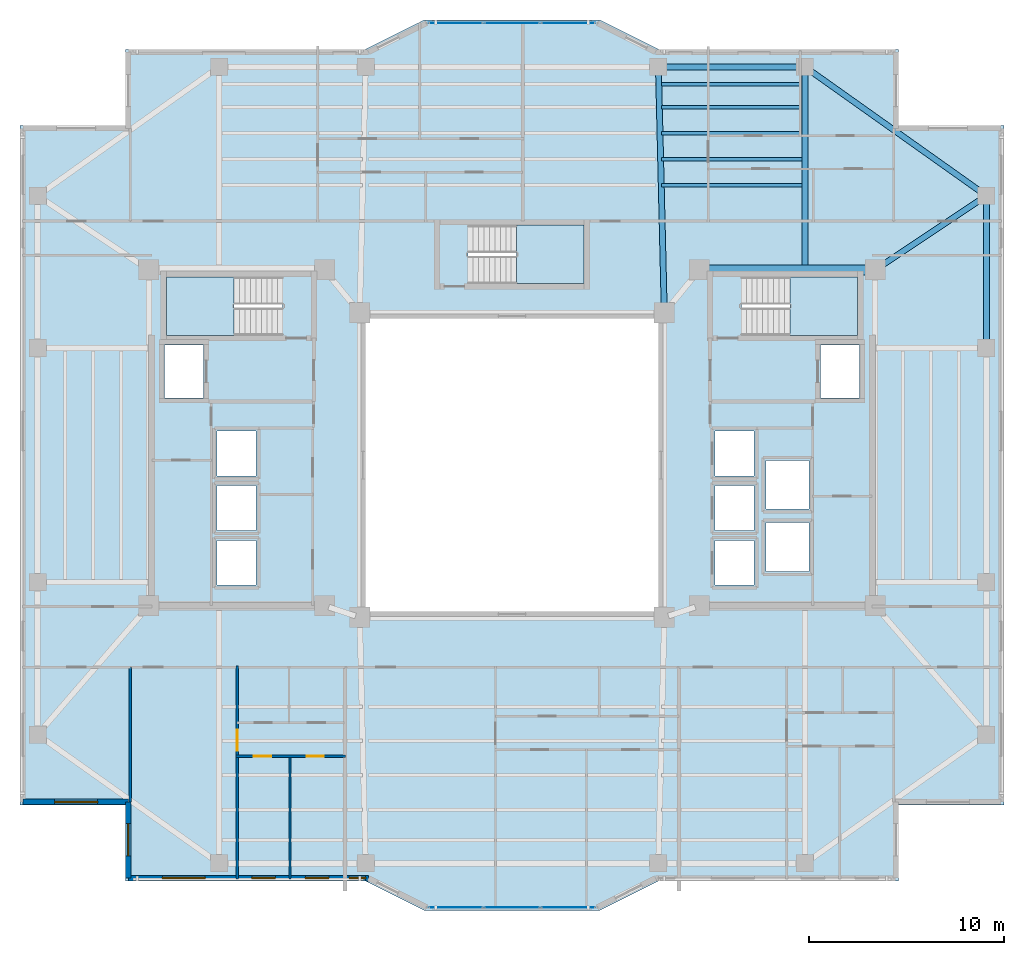
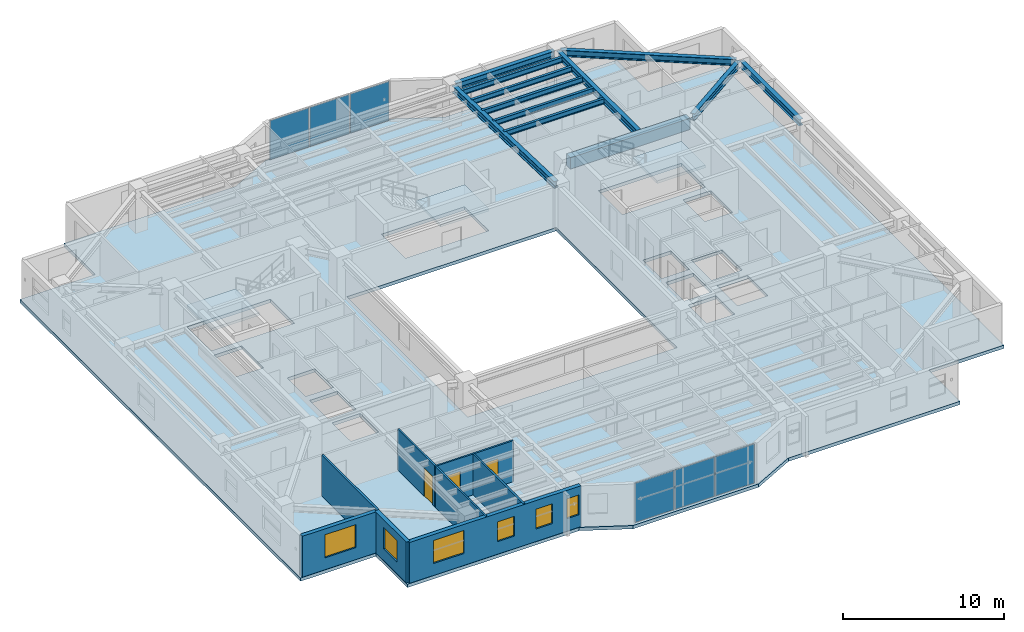
# One storey, part 5 of 15: 12 beams, 7 walls, 6 plates, 6 windows, 4 slabs, 3 doors, 9 openings, 5 elements without a shape of their own.
"""IFC4 building model written with IfcOpenShell, lengths in metres."""

from ifc_helpers import new_model, si_unit, direction, frame, frame_2d, origin, origin_2d, place, context, subcontext, project, spatial, polyline, rectangle, i_section, outline, extrude, material, layer, layer_set, material_profile, profile_set, type_object, element, fill, aggregate, save


model = new_model("IFC4")

# Units and contexts
model_context = context("Model", 3, precision=1e-05, world=origin(), true_north=direction((0.0, 1.0)))
body_context = subcontext(model_context, "Body", "Model", "MODEL_VIEW")
ifc_project = project(units=[si_unit("LENGTHUNIT", "METRE"), si_unit("AREAUNIT", "SQUARE_METRE"), si_unit("VOLUMEUNIT", "CUBIC_METRE"), si_unit("PLANEANGLEUNIT", "RADIAN"), si_unit("MASSUNIT", "GRAM", prefix="KILO")], contexts=[model_context])

# Site, building, storey
site_placement = place(None, origin())
site = spatial("IfcSite", under=ifc_project, at=site_placement, CompositionType="ELEMENT")
building_placement = place(site_placement, origin())
building = spatial("IfcBuilding", under=site, at=building_placement, Name="Tarnavaz Court Tower", CompositionType="ELEMENT")
storey_placement = place(building_placement, frame((0.0, 0.0, 159.39990234375)))
storey = spatial("IfcBuildingStorey", under=building, at=storey_placement, Name="L43", CompositionType="ELEMENT", Elevation=159.39990234375)

# Beams
ifc_material_1 = material(Name="Concrete C50/60", Category="concrete")
ifc_material_profile_1 = material_profile(ifc_material_1, rectangle(XDim=0.5, YDim=0.85009765625, at=origin_2d()), Name="RC 500X850")
ifc_profile_set_1 = profile_set([ifc_material_profile_1], Name="Concrete C50/60")
beam_type_1 = type_object("IfcBeamType", Name="BM-CB850", PredefinedType="LINTEL", material=ifc_profile_set_1)
beam_1_placement = place(storey_placement, frame((18.3798828125, 10.0, 2.675048828125), z_axis=(-1.0, 0.0, 0.0), x_axis=(0.0, -1.0, 0.0)))
element("IfcBeam", 1, at=beam_1_placement, inside=storey, type_object=beam_type_1, Name="L43 Beam IN-CE-NO-CE-NI", PredefinedType="LINTEL", context=body_context, shape_type="SweptSolid", body=[
    extrude(rectangle(XDim=0.5, YDim=0.85009765625, at=origin_2d()), origin(), (0.0, 0.0, 1.0), 8.559814453125),
])
ifc_material_2 = material(Name="Steel S355", Category="steel")
ifc_material_profile_2 = material_profile(ifc_material_2, i_section(OverallWidth=0.300048828125, OverallDepth=0.5, WebThickness=0.014404296875, FlangeThickness=0.028076171875, FilletRadius=0.027099609375, at=origin_2d()), Name="HEB 500")
ifc_profile_set_2 = profile_set([ifc_material_profile_2], Name="Steel S355")
beam_type_2 = type_object("IfcBeamType", Name="BM-G-HEB500", PredefinedType="USERDEFINED", material=ifc_profile_set_2)
beam_2_placement = place(storey_placement, frame((7.794921875, 8.02001953125, 2.85009765625), z_axis=(-0.023824748444, 0.999716150395, 0.0), x_axis=(-0.999716150395, -0.023824748444, 0.0)))
element("IfcBeam", 2, at=beam_2_placement, inside=storey, type_object=beam_type_2, Name="L43 Beam RG-03", ObjectType="GIRDER", PredefinedType="USERDEFINED", context=body_context, shape_type="SweptSolid", body=[
    extrude(i_section(OverallWidth=0.300048828125, OverallDepth=0.5, WebThickness=0.014404296875, FlangeThickness=0.028076171875, FilletRadius=0.027099609375, at=origin_2d()), origin(), (0.0, 0.0, 1.0), 12.16357421875),
])
beam_3_placement = place(storey_placement, frame((15.0, 10.0400390625, 2.85009765625), z_axis=(0.0, 1.0, 0.0), x_axis=(-1.0, 0.0, 0.0)))
element("IfcBeam", 3, at=beam_3_placement, inside=storey, type_object=beam_type_2, Name="L43 Beam RG-04", ObjectType="GIRDER", PredefinedType="USERDEFINED", context=body_context, shape_type="SweptSolid", body=[
    extrude(i_section(OverallWidth=0.300048828125, OverallDepth=0.5, WebThickness=0.014404296875, FlangeThickness=0.028076171875, FilletRadius=0.027099609375, at=origin_2d()), origin(), (0.0, 0.0, 1.0), 10.139892578125),
])
beam_4_placement = place(storey_placement, frame((18.783203125, 10.1220703125, 2.85009765625), z_axis=(0.832044435051, 0.554708985056, 0.0), x_axis=(-0.554708985056, 0.832044435051, 0.0)))
element("IfcBeam", 4, at=beam_4_placement, inside=storey, type_object=beam_type_2, Name="L43 Beam RG-12", ObjectType="GIRDER", PredefinedType="USERDEFINED", context=body_context, shape_type="SweptSolid", body=[
    extrude(i_section(OverallWidth=0.300048828125, OverallDepth=0.5, WebThickness=0.014404296875, FlangeThickness=0.028076171875, FilletRadius=0.027099609375, at=origin_2d()), origin(), (0.0, 0.0, 1.0), 6.410400390625),
])
ifc_material_profile_3 = material_profile(ifc_material_2, i_section(OverallWidth=0.179931640625, OverallDepth=0.39990234375, WebThickness=0.008544921875, FlangeThickness=0.013427734375, FilletRadius=0.02099609375, at=origin_2d()), Name="IPE 400")
ifc_profile_set_3 = profile_set([ifc_material_profile_3], Name="Steel S355")
beam_type_3 = type_object("IfcBeamType", Name="BM-J-IPE400", PredefinedType="JOIST", material=ifc_profile_set_3)
for number, where, z_axis, x_axis, name in (
    (5, (7.64990234375, 14.33203125, 2.900146484375), (1.0, 0.0, 0.0), (0.0, 1.0, 0.0), "L43 Beam JN1-3"),
    (6, (7.64990234375, 15.6640625, 2.900146484375), (1.0, 0.0, 0.0), (0.0, 1.0, 0.0), "L43 Beam JN2-3"),
    (7, (7.64990234375, 16.99609375, 2.900146484375), (1.0, 0.0, 0.0), (0.0, 1.0, 0.0), "L43 Beam JN3-3"),
    (8, (7.64990234375, 18.327880859375, 2.900146484375), (1.0, 0.0, 0.0), (0.0, 1.0, 0.0), "L43 Beam JN4-3"),
    (9, (7.64990234375, 19.511962890625, 2.900146484375), (1.0, 0.0, 0.0), (0.0, 1.0, 0.0), "L43 Beam JN5-3"),
):
    element("IfcBeam", number, at=place(storey_placement, frame(where, z_axis=z_axis, x_axis=x_axis)), inside=storey, type_object=beam_type_3, Name=name, PredefinedType="JOIST", context=body_context, shape_type="SweptSolid", body=[
        extrude(i_section(OverallWidth=0.179931640625, OverallDepth=0.39990234375, WebThickness=0.008544921875, FlangeThickness=0.013427734375, FilletRadius=0.02099609375, at=origin_2d()), origin(), (0.0, 0.0, 1.0), 7.2001953125),
    ])
ifc_material_profile_4 = material_profile(ifc_material_2, i_section(OverallWidth=0.300048828125, OverallDepth=0.489990234375, WebThickness=0.011962890625, FlangeThickness=0.02294921875, FilletRadius=0.027099609375, at=origin_2d()), Name="HEA 500")
ifc_profile_set_4 = profile_set([ifc_material_profile_4], Name="Steel S355")
beam_type_4 = type_object("IfcBeamType", Name="BM-SP-HEA500", PredefinedType="SPANDREL", material=ifc_profile_set_4)
beam_5_placement = place(storey_placement, frame((7.719970703125, 20.39990234375, 2.85498046875), z_axis=(1.0, 0.0, 0.0), x_axis=(0.0, 1.0, 0.0)))
element("IfcBeam", 10, at=beam_5_placement, inside=storey, type_object=beam_type_4, Name="L43 Beam PR-PN-3-PN-4", PredefinedType="SPANDREL", context=body_context, shape_type="SweptSolid", body=[
    extrude(i_section(OverallWidth=0.300048828125, OverallDepth=0.489990234375, WebThickness=0.011962890625, FlangeThickness=0.02294921875, FilletRadius=0.027099609375, at=origin_2d()), origin(), (0.0, 0.0, 1.0), 7.06005859375),
])
beam_6_placement = place(storey_placement, frame((24.300048828125, 6.219970703125, 2.85498046875), z_axis=(0.0, 1.0, 0.0), x_axis=(-1.0, 0.0, 0.0)))
element("IfcBeam", 11, at=beam_6_placement, inside=storey, type_object=beam_type_4, Name="L43 Beam PR-PE-3-PE-4", PredefinedType="SPANDREL", context=body_context, shape_type="SweptSolid", body=[
    extrude(i_section(OverallWidth=0.300048828125, OverallDepth=0.489990234375, WebThickness=0.011962890625, FlangeThickness=0.02294921875, FilletRadius=0.027099609375, at=origin_2d()), origin(), (0.0, 0.0, 1.0), 7.360107421875),
])
beam_7_placement = place(storey_placement, frame((15.179443359375, 20.272705078125, 2.85498046875), z_axis=(0.815502059396, -0.57875417158, 0.0), x_axis=(0.57875417158, 0.815502059396, 0.0)))
element("IfcBeam", 12, at=beam_7_placement, inside=storey, type_object=beam_type_4, Name="L43 Beam PR-PN-4-PE-4", PredefinedType="SPANDREL", context=body_context, shape_type="SweptSolid", body=[
    extrude(i_section(OverallWidth=0.300048828125, OverallDepth=0.489990234375, WebThickness=0.011962890625, FlangeThickness=0.02294921875, FilletRadius=0.027099609375, at=origin_2d()), origin(), (0.0, 0.0, 1.0), 10.964111328125),
])

# Curtain wall, plates
ifc_material_3 = material(Name="Anodised Aluminium 6063-T6 and Solar Low-E Glazing", Category="aluminium")
ifc_layer_1 = layer(ifc_material_3, 0.159912109375)
ifc_layer_set_1 = layer_set([ifc_layer_1], Name="Anodised Aluminium 6063-T6 and Solar Low-E Glazing")
curtain_wall_type = type_object("IfcCurtainWallType", Name="CW-SYS-03", PredefinedType="NOTDEFINED", material=ifc_layer_set_1)
curtain_wall_1_placement = place(storey_placement, origin())
curtain_wall_1 = element("IfcCurtainWall", 13, at=curtain_wall_1_placement, inside=storey, type_object=curtain_wall_type, Name="L43 Iwan Prow Curtain Wall 7", PredefinedType="NOTDEFINED")
ifc_material_4 = material(Name="Double-Glazed Solar Low-E Glass", Category="glass")
ifc_layer_2 = layer(ifc_material_4, 0.028076171875)
ifc_layer_set_2 = layer_set([ifc_layer_2], Name="Double-Glazed Solar Low-E Glass")
plate_type = type_object("IfcPlateType", Name="CW-PAN-GLZ28", PredefinedType="CURTAIN_PANEL", material=ifc_layer_set_2)
plate_1_placement = place(storey_placement, frame((-2.88134765625, 22.64990234375, 0.06494140625), z_axis=(0.0, 0.0, 1.0), x_axis=(1.0, 0.0, 0.0)))
plate_1 = element("IfcPlate", 14, at=plate_1_placement, type_object=plate_type, Name="CW panel 1.1", PredefinedType="CURTAIN_PANEL", context=body_context, shape_type="SweptSolid", body=[
    extrude(rectangle(XDim=2.78759765625, YDim=0.028076171875, at=origin_2d()), origin(), (0.0, 0.0, 1.0), 2.969970703125),
])
plate_2_placement = place(storey_placement, frame((0.0, 22.64990234375, 0.06494140625), z_axis=(0.0, 0.0, 1.0), x_axis=(1.0, 0.0, 0.0)))
plate_2 = element("IfcPlate", 15, at=plate_2_placement, type_object=plate_type, Name="CW panel 2.1", PredefinedType="CURTAIN_PANEL", context=body_context, shape_type="SweptSolid", body=[
    extrude(rectangle(XDim=2.824951171875, YDim=0.028076171875, at=origin_2d()), origin(), (0.0, 0.0, 1.0), 2.969970703125),
])
plate_3_placement = place(storey_placement, frame((2.88134765625, 22.64990234375, 0.06494140625), z_axis=(0.0, 0.0, 1.0), x_axis=(1.0, 0.0, 0.0)))
plate_3 = element("IfcPlate", 16, at=plate_3_placement, type_object=plate_type, Name="CW panel 3.1", PredefinedType="CURTAIN_PANEL", context=body_context, shape_type="SweptSolid", body=[
    extrude(rectangle(XDim=2.78759765625, YDim=0.028076171875, at=origin_2d()), origin(), (0.0, 0.0, 1.0), 2.969970703125),
])
aggregate(curtain_wall_1, [plate_1, plate_2, plate_3])

curtain_wall_2_placement = place(storey_placement, origin())
curtain_wall_2 = element("IfcCurtainWall", 17, at=curtain_wall_2_placement, inside=storey, type_object=curtain_wall_type, Name="L43 Iwan Prow Curtain Wall 17", PredefinedType="NOTDEFINED")
plate_4_placement = place(storey_placement, frame((2.88134765625, -22.64990234375, 0.06494140625), z_axis=(0.0, 0.0, 1.0), x_axis=(-1.0, 0.0, 0.0)))
plate_4 = element("IfcPlate", 18, at=plate_4_placement, type_object=plate_type, Name="CW panel 1.1", PredefinedType="CURTAIN_PANEL", context=body_context, shape_type="SweptSolid", body=[
    extrude(rectangle(XDim=2.78759765625, YDim=0.028076171875, at=origin_2d()), origin(), (0.0, 0.0, 1.0), 2.969970703125),
])
plate_5_placement = place(storey_placement, frame((0.0, -22.64990234375, 0.06494140625), z_axis=(0.0, 0.0, 1.0), x_axis=(-1.0, 0.0, 0.0)))
plate_5 = element("IfcPlate", 19, at=plate_5_placement, type_object=plate_type, Name="CW panel 2.1", PredefinedType="CURTAIN_PANEL", context=body_context, shape_type="SweptSolid", body=[
    extrude(rectangle(XDim=2.824951171875, YDim=0.028076171875, at=origin_2d()), origin(), (0.0, 0.0, 1.0), 2.969970703125),
])
plate_6_placement = place(storey_placement, frame((-2.88134765625, -22.64990234375, 0.06494140625), z_axis=(0.0, 0.0, 1.0), x_axis=(-1.0, 0.0, 0.0)))
plate_6 = element("IfcPlate", 20, at=plate_6_placement, type_object=plate_type, Name="CW panel 3.1", PredefinedType="CURTAIN_PANEL", context=body_context, shape_type="SweptSolid", body=[
    extrude(rectangle(XDim=2.78759765625, YDim=0.028076171875, at=origin_2d()), origin(), (0.0, 0.0, 1.0), 2.969970703125),
])
aggregate(curtain_wall_2, [plate_4, plate_5, plate_6])

# Stair, slab
ifc_material_5 = material(Name="Concrete C40/50", Category="concrete")
stair_type = type_object("IfcStairType", Name="ST-TWR-20R", PredefinedType="HALF_TURN_STAIR", material=ifc_material_5)
stair_1_placement = place(storey_placement, origin())
stair_1 = element("IfcStair", 21, at=stair_1_placement, inside=storey, type_object=stair_type, Name="L43 West Core Pressurized Exit Stair ST-W1", PredefinedType="HALF_TURN_STAIR")
ifc_layer_3 = layer(ifc_material_5, 0.199951171875)
ifc_layer_set_3 = layer_set([ifc_layer_3], Name="Concrete C40/50")
slab_type_1 = type_object("IfcSlabType", Name="SL-LAND-200", PredefinedType="LANDING", material=ifc_layer_set_3)
slab_1_placement = place(storey_placement, frame((0.0, 0.0, 1.47509765625)))
slab_1 = element("IfcSlab", 22, at=slab_1_placement, type_object=slab_type_1, Name="ST-W1 landing 1", PredefinedType="LANDING", context=body_context, shape_type="SweptSolid", body=[
    extrude(outline(polyline([(-14.239990234375, 9.639892578125), (-17.699951171875, 9.639892578125), (-17.699951171875, 6.64990234375), (-14.239990234375, 6.64990234375), (-14.239990234375, 9.639892578125)])), origin(), (0.0, 0.0, 1.0), 0.199951171875),
])
aggregate(stair_1, [slab_1])

stair_2_placement = place(storey_placement, origin())
stair_2 = element("IfcStair", 23, at=stair_2_placement, inside=storey, type_object=stair_type, Name="L43 East Core Pressurized Exit Stair ST-E1", PredefinedType="HALF_TURN_STAIR")
slab_2_placement = place(storey_placement, frame((0.0, 0.0, 1.47509765625)))
slab_2 = element("IfcSlab", 24, at=slab_2_placement, type_object=slab_type_1, Name="ST-E1 landing 1", PredefinedType="LANDING", context=body_context, shape_type="SweptSolid", body=[
    extrude(outline(polyline([(14.239990234375, 6.64990234375), (17.699951171875, 6.64990234375), (17.699951171875, 9.639892578125), (14.239990234375, 9.639892578125), (14.239990234375, 6.64990234375)])), origin(), (0.0, 0.0, 1.0), 0.199951171875),
])
aggregate(stair_2, [slab_2])

stair_3_placement = place(storey_placement, origin())
stair_3 = element("IfcStair", 25, at=stair_3_placement, inside=storey, type_object=stair_type, Name="L43 North Ring Pressurized Exit Stair ST-N1", PredefinedType="HALF_TURN_STAIR")
slab_3_placement = place(storey_placement, frame((0.0, 0.0, 1.47509765625)))
slab_3 = element("IfcSlab", 26, at=slab_3_placement, type_object=slab_type_1, Name="ST-N1 landing 1", PredefinedType="LANDING", context=body_context, shape_type="SweptSolid", body=[
    extrude(outline(polyline([(0.239990234375, 9.300048828125), (3.699951171875, 9.300048828125), (3.699951171875, 12.2900390625), (0.239990234375, 12.2900390625), (0.239990234375, 9.300048828125)])), origin(), (0.0, 0.0, 1.0), 0.199951171875),
])
aggregate(stair_3, [slab_3])

# Slab
ifc_layer_4 = layer(ifc_material_5, 0.25)
ifc_layer_set_4 = layer_set([ifc_layer_4], Name="Concrete C40/50")
slab_type_2 = type_object("IfcSlabType", Name="SL-RES-250", PredefinedType="FLOOR", material=ifc_layer_set_4)
slab_4_placement = place(storey_placement, frame((0.0, 0.0, -0.25)))
element("IfcSlab", 27, at=slab_4_placement, inside=storey, type_object=slab_type_2, Name="L43 Structural Floor Slab", PredefinedType="FLOOR", context=body_context, shape_type="SweptSolid", body=[
    extrude(outline(polyline([(-19.800048828125, -21.300048828125), (-7.5, -21.300048828125), (-4.5, -22.800048828125), (4.5, -22.800048828125), (7.5, -21.300048828125), (19.800048828125, -21.300048828125), (19.800048828125, -17.39990234375), (25.199951171875, -17.39990234375), (25.199951171875, 17.39990234375), (19.800048828125, 17.39990234375), (19.800048828125, 21.300048828125), (7.5, 21.300048828125), (4.5, 22.800048828125), (-4.5, 22.800048828125), (-7.5, 21.300048828125), (-19.800048828125, 21.300048828125), (-19.800048828125, 17.39990234375), (-25.199951171875, 17.39990234375), (-25.199951171875, -17.39990234375), (-19.800048828125, -17.39990234375), (-19.800048828125, -21.300048828125)]), holes=[polyline([(-7.5, -7.5), (7.5, -7.5), (7.5, 7.5), (-7.5, 7.5), (-7.5, -7.5)]), polyline([(-11.7451171875, 9.639892578125), (-17.699951171875, 9.639892578125), (-17.699951171875, 6.64990234375), (-11.7451171875, 6.64990234375), (-11.7451171875, 9.639892578125)]), polyline([(11.7451171875, 6.64990234375), (17.699951171875, 6.64990234375), (17.699951171875, 9.639892578125), (11.7451171875, 9.639892578125), (11.7451171875, 6.64990234375)]), polyline([(-2.2548828125, 9.300048828125), (3.699951171875, 9.300048828125), (3.699951171875, 12.2900390625), (-2.2548828125, 12.2900390625), (-2.2548828125, 9.300048828125)]), polyline([(-17.800048828125, 3.449951171875), (-15.800048828125, 3.449951171875), (-15.800048828125, 6.14990234375), (-17.800048828125, 6.14990234375), (-17.800048828125, 3.449951171875)]), polyline([(-15.10009765625, -6.14990234375), (-13.10009765625, -6.14990234375), (-13.10009765625, -3.85009765625), (-15.10009765625, -3.85009765625), (-15.10009765625, -6.14990234375)]), polyline([(-15.10009765625, -3.35009765625), (-13.10009765625, -3.35009765625), (-13.10009765625, -1.050048828125), (-15.10009765625, -1.050048828125), (-15.10009765625, -3.35009765625)]), polyline([(-15.10009765625, -0.550048828125), (-13.10009765625, -0.550048828125), (-13.10009765625, 1.75), (-15.10009765625, 1.75), (-15.10009765625, -0.550048828125)]), polyline([(15.800048828125, 3.449951171875), (17.800048828125, 3.449951171875), (17.800048828125, 6.14990234375), (15.800048828125, 6.14990234375), (15.800048828125, 3.449951171875)]), polyline([(10.39990234375, -6.14990234375), (12.39990234375, -6.14990234375), (12.39990234375, -3.85009765625), (10.39990234375, -3.85009765625), (10.39990234375, -6.14990234375)]), polyline([(10.39990234375, -3.35009765625), (12.39990234375, -3.35009765625), (12.39990234375, -1.050048828125), (10.39990234375, -1.050048828125), (10.39990234375, -3.35009765625)]), polyline([(10.39990234375, -0.550048828125), (12.39990234375, -0.550048828125), (12.39990234375, 1.75), (10.39990234375, 1.75), (10.39990234375, -0.550048828125)]), polyline([(13.0, -5.449951171875), (15.199951171875, -5.449951171875), (15.199951171875, -2.949951171875), (13.0, -2.949951171875), (13.0, -5.449951171875)]), polyline([(13.0, -2.25), (15.199951171875, -2.25), (15.199951171875, 0.25), (13.0, 0.25), (13.0, -2.25)])]), origin(), (0.0, 0.0, 1.0), 0.25),
])

# Wall, opening, window
ifc_material_6 = material(Name="Precast Concrete C40/50", Category="concrete")
ifc_layer_5 = layer(ifc_material_6, 0.280029296875)
ifc_layer_set_5 = layer_set([ifc_layer_5], Name="Precast Concrete C40/50")
wall_type_1 = type_object("IfcWallType", Name="WL-EXT-280", PredefinedType="SOLIDWALL", material=ifc_layer_set_5)
wall_1_placement = place(storey_placement, frame((-19.64990234375, -17.25, 0.0), z_axis=(0.0, 0.0, 1.0), x_axis=(-1.0, 0.0, 0.0)))
wall_1 = element("IfcWall", 28, at=wall_1_placement, inside=storey, type_object=wall_type_1, Name="L43 Exterior Terracotta Facade Wall 01", PredefinedType="SOLIDWALL", context=body_context, shape_type="SweptSolid", body=[
    extrude(rectangle(XDim=5.400146484375, YDim=0.280029296875, at=frame_2d((2.7001953125, 0.0))), origin(), (0.0, 0.0, 1.0), 3.10009765625),
])
opening_1_placement = place(wall_1_placement, frame((1.574951171875, 0.0, 0.89990234375)))
opening_1 = element("IfcOpeningElement", 29, at=opening_1_placement, cuts=wall_1, Name="Opening W07", PredefinedType="OPENING", context=body_context, shape_type="SweptSolid", body=[
    extrude(rectangle(XDim=2.199951171875, YDim=1.75, at=frame_2d((1.10009765625, 0.875))), frame((0.0, 0.14990234375, 0.0), z_axis=(0.0, -1.0, 0.0), x_axis=(1.0, 0.0, 0.0)), (0.0, 0.0, 1.0), 0.300048828125),
])
window_type_1 = type_object("IfcWindowType", Name="WN-APT-2200", PartitioningType="TRIPLE_PANEL_VERTICAL", PredefinedType="WINDOW", material=ifc_material_4)
window_1_placement = place(opening_1_placement, origin())
window_1 = element("IfcWindow", 30, at=window_1_placement, inside=storey, type_object=window_type_1, Name="L43 South-West Corner Reading Room Window", OverallHeight=1.75, OverallWidth=2.199951171875, PartitioningType="SINGLE_PANEL", PredefinedType="WINDOW", context=body_context, shape_type="SweptSolid", body=[
    extrude(rectangle(XDim=2.199951171875, YDim=1.75, at=frame_2d((1.10009765625, 0.875))), frame((0.0, 0.030029296875, 0.0), z_axis=(0.0, -1.0, 0.0), x_axis=(1.0, 0.0, 0.0)), (0.0, 0.0, 1.0), 0.06005859375),
])
fill(opening_1, window_1)

# Wall, openings, windows
wall_2_placement = place(storey_placement, frame((-7.35009765625, -21.14990234375, 0.0), z_axis=(0.0, 0.0, 1.0), x_axis=(-1.0, 0.0, 0.0)))
wall_2 = element("IfcWall", 31, at=wall_2_placement, inside=storey, type_object=wall_type_1, Name="L43 Exterior Terracotta Facade Wall 19", PredefinedType="SOLIDWALL", context=body_context, shape_type="SweptSolid", body=[
    extrude(rectangle(XDim=12.2998046875, YDim=0.280029296875, at=frame_2d((6.14990234375, 0.0))), origin(), (0.0, 0.0, 1.0), 3.10009765625),
])
opening_2_placement = place(wall_2_placement, frame((0.147216796875, 0.0, 0.949951171875)))
opening_2 = element("IfcOpeningElement", 32, at=opening_2_placement, cuts=wall_2, Name="Opening W15", PredefinedType="OPENING", context=body_context, shape_type="SweptSolid", body=[
    extrude(rectangle(XDim=0.85009765625, YDim=1.5, at=frame_2d((0.425048828125, 0.75))), frame((0.0, 0.14990234375, 0.0), z_axis=(0.0, -1.0, 0.0), x_axis=(1.0, 0.0, 0.0)), (0.0, 0.0, 1.0), 0.300048828125),
])
opening_3_placement = place(wall_2_placement, frame((2.03564453125, 0.0, 0.949951171875)))
opening_3 = element("IfcOpeningElement", 33, at=opening_3_placement, cuts=wall_2, Name="Opening W05", PredefinedType="OPENING", context=body_context, shape_type="SweptSolid", body=[
    extrude(rectangle(XDim=1.199951171875, YDim=1.5, at=frame_2d((0.60009765625, 0.75))), frame((0.0, 0.14990234375, 0.0), z_axis=(0.0, -1.0, 0.0), x_axis=(1.0, 0.0, 0.0)), (0.0, 0.0, 1.0), 0.300048828125),
])
opening_4_placement = place(wall_2_placement, frame((4.771728515625, 0.0, 0.949951171875)))
opening_4 = element("IfcOpeningElement", 34, at=opening_4_placement, cuts=wall_2, Name="Opening W05", PredefinedType="OPENING", context=body_context, shape_type="SweptSolid", body=[
    extrude(rectangle(XDim=1.199951171875, YDim=1.5, at=frame_2d((0.60009765625, 0.75))), frame((0.0, 0.14990234375, 0.0), z_axis=(0.0, -1.0, 0.0), x_axis=(1.0, 0.0, 0.0)), (0.0, 0.0, 1.0), 0.300048828125),
])
opening_5_placement = place(wall_2_placement, frame((8.363525390625, 0.0, 0.89990234375)))
opening_5 = element("IfcOpeningElement", 35, at=opening_5_placement, cuts=wall_2, Name="Opening W07", PredefinedType="OPENING", context=body_context, shape_type="SweptSolid", body=[
    extrude(rectangle(XDim=2.199951171875, YDim=1.75, at=frame_2d((1.10009765625, 0.875))), frame((0.0, 0.14990234375, 0.0), z_axis=(0.0, -1.0, 0.0), x_axis=(1.0, 0.0, 0.0)), (0.0, 0.0, 1.0), 0.300048828125),
])
window_type_2 = type_object("IfcWindowType", Name="WN-APT-1200", PartitioningType="SINGLE_PANEL", PredefinedType="WINDOW", material=ifc_material_4)
window_2_placement = place(opening_3_placement, origin())
window_2 = element("IfcWindow", 36, at=window_2_placement, inside=storey, type_object=window_type_2, Name="L43 Flat 03 Bedroom 2 Window", OverallHeight=1.5, OverallWidth=1.199951171875, PartitioningType="SINGLE_PANEL", PredefinedType="WINDOW", context=body_context, shape_type="SweptSolid", body=[
    extrude(rectangle(XDim=1.199951171875, YDim=1.5, at=frame_2d((0.60009765625, 0.75))), frame((0.0, 0.030029296875, 0.0), z_axis=(0.0, -1.0, 0.0), x_axis=(1.0, 0.0, 0.0)), (0.0, 0.0, 1.0), 0.06005859375),
])
fill(opening_3, window_2)
window_3_placement = place(opening_4_placement, origin())
window_3 = element("IfcWindow", 37, at=window_3_placement, inside=storey, type_object=window_type_2, Name="L43 Flat 03 Principal Bedroom Window", OverallHeight=1.5, OverallWidth=1.199951171875, PartitioningType="SINGLE_PANEL", PredefinedType="WINDOW", context=body_context, shape_type="SweptSolid", body=[
    extrude(rectangle(XDim=1.199951171875, YDim=1.5, at=frame_2d((0.60009765625, 0.75))), frame((0.0, 0.030029296875, 0.0), z_axis=(0.0, -1.0, 0.0), x_axis=(1.0, 0.0, 0.0)), (0.0, 0.0, 1.0), 0.06005859375),
])
fill(opening_4, window_3)
window_4_placement = place(opening_5_placement, origin())
window_4 = element("IfcWindow", 38, at=window_4_placement, inside=storey, type_object=window_type_1, Name="L43 Flat 03 Living and Dining Room Window", OverallHeight=1.75, OverallWidth=2.199951171875, PartitioningType="SINGLE_PANEL", PredefinedType="WINDOW", context=body_context, shape_type="SweptSolid", body=[
    extrude(rectangle(XDim=2.199951171875, YDim=1.75, at=frame_2d((1.10009765625, 0.875))), frame((0.0, 0.030029296875, 0.0), z_axis=(0.0, -1.0, 0.0), x_axis=(1.0, 0.0, 0.0)), (0.0, 0.0, 1.0), 0.06005859375),
])
fill(opening_5, window_4)
window_type_3 = type_object("IfcWindowType", Name="WN-APT-850", PartitioningType="SINGLE_PANEL", PredefinedType="WINDOW", material=ifc_material_4)
window_5_placement = place(opening_2_placement, origin())
window_5 = element("IfcWindow", 39, at=window_5_placement, inside=storey, type_object=window_type_3, Name="L43 Flat 05 Living and Dining Room Window", OverallHeight=1.5, OverallWidth=0.85009765625, PartitioningType="SINGLE_PANEL", PredefinedType="WINDOW", context=body_context, shape_type="SweptSolid", body=[
    extrude(rectangle(XDim=0.85009765625, YDim=1.5, at=frame_2d((0.425048828125, 0.75))), frame((0.0, 0.030029296875, 0.0), z_axis=(0.0, -1.0, 0.0), x_axis=(1.0, 0.0, 0.0)), (0.0, 0.0, 1.0), 0.06005859375),
])
fill(opening_2, window_5)

# Wall, opening, window
wall_3_placement = place(storey_placement, frame((-19.64990234375, -21.14990234375, 0.0), z_axis=(0.0, 0.0, 1.0), x_axis=(0.0, 1.0, 0.0)))
wall_3 = element("IfcWall", 40, at=wall_3_placement, inside=storey, type_object=wall_type_1, Name="L43 Exterior Terracotta Facade Wall 20", PredefinedType="SOLIDWALL", context=body_context, shape_type="SweptSolid", body=[
    extrude(rectangle(XDim=3.89990234375, YDim=0.280029296875, at=frame_2d((1.949951171875, 0.0))), origin(), (0.0, 0.0, 1.0), 3.10009765625),
])
opening_6_placement = place(wall_3_placement, frame((1.142822265625, 0.0, 0.89990234375)))
opening_6 = element("IfcOpeningElement", 41, at=opening_6_placement, cuts=wall_3, Name="Opening W02", PredefinedType="OPENING", context=body_context, shape_type="SweptSolid", body=[
    extrude(rectangle(XDim=1.64990234375, YDim=1.60009765625, at=frame_2d((0.824951171875, 0.800048828125))), frame((0.0, 0.14990234375, 0.0), z_axis=(0.0, -1.0, 0.0), x_axis=(1.0, 0.0, 0.0)), (0.0, 0.0, 1.0), 0.300048828125),
])
window_type_4 = type_object("IfcWindowType", Name="WN-APT-1650", PartitioningType="DOUBLE_PANEL_VERTICAL", PredefinedType="WINDOW", material=ifc_material_4)
window_6_placement = place(opening_6_placement, origin())
window_6 = element("IfcWindow", 42, at=window_6_placement, inside=storey, type_object=window_type_4, Name="L43 Flat 03 Living and Dining Room Window", OverallHeight=1.60009765625, OverallWidth=1.64990234375, PartitioningType="SINGLE_PANEL", PredefinedType="WINDOW", context=body_context, shape_type="SweptSolid", body=[
    extrude(rectangle(XDim=1.64990234375, YDim=1.60009765625, at=frame_2d((0.824951171875, 0.800048828125))), frame((0.0, 0.030029296875, 0.0), z_axis=(0.0, -1.0, 0.0), x_axis=(1.0, 0.0, 0.0)), (0.0, 0.0, 1.0), 0.06005859375),
])
fill(opening_6, window_6)

# Wall, opening, door
ifc_material_7 = material(Name="Moisture-Resistant Gypsum Board Partition", Category="masonry")
ifc_layer_6 = layer(ifc_material_7, 0.1201171875)
ifc_layer_set_6 = layer_set([ifc_layer_6], Name="Moisture-Resistant Gypsum Board Partition")
wall_type_2 = type_object("IfcWallType", Name="WL-PART-120", PredefinedType="PARTITIONING", material=ifc_layer_set_6)
wall_4_placement = place(storey_placement, frame((-14.074951171875, -21.199951171875, 0.0), z_axis=(0.0, 0.0, 1.0), x_axis=(0.0, 1.0, 0.0)))
wall_4 = element("IfcWall", 43, at=wall_4_placement, inside=storey, type_object=wall_type_2, Name="L43 Interior Partition 088", PredefinedType="PARTITIONING", context=body_context, shape_type="SweptSolid", body=[
    extrude(rectangle(XDim=10.909912109375, YDim=0.1201171875, at=frame_2d((5.455078125, 0.0))), origin(), (0.0, 0.0, 1.0), 3.10009765625),
])
opening_7_placement = place(wall_4_placement, frame((6.574951171875, 0.0, 0.0)))
opening_7 = element("IfcOpeningElement", 44, at=opening_7_placement, cuts=wall_4, Name="Opening D12", PredefinedType="OPENING", context=body_context, shape_type="SweptSolid", body=[
    extrude(rectangle(XDim=1.080078125, YDim=2.14990234375, at=frame_2d((0.5400390625, 1.074951171875))), frame((0.0, 0.070068359375, 0.0), z_axis=(0.0, -1.0, 0.0), x_axis=(1.0, 0.0, 0.0)), (0.0, 0.0, 1.0), 0.14013671875),
])
ifc_material_8 = material(Name="Engineered Oak Timber", Category="wood")
door_type_1 = type_object("IfcDoorType", Name="DR-INT-1100", OperationType="NOTDEFINED", PredefinedType="DOOR", material=ifc_material_8)
door_1_placement = place(opening_7_placement, origin())
door_1 = element("IfcDoor", 45, at=door_1_placement, inside=storey, type_object=door_type_1, Name="L43 Flat 03 Foyer Door", OperationType="SINGLE_SWING_RIGHT", OverallHeight=2.14990234375, OverallWidth=1.080078125, PredefinedType="DOOR", context=body_context, shape_type="SweptSolid", body=[
    extrude(rectangle(XDim=1.080078125, YDim=2.14990234375, at=frame_2d((0.5400390625, 1.074951171875))), frame((0.0, 0.02490234375, 0.0), z_axis=(0.0, -1.0, 0.0), x_axis=(1.0, 0.0, 0.0)), (0.0, 0.0, 1.0), 0.050048828125),
])
fill(opening_7, door_1)

# Wall, openings, doors
wall_5_placement = place(storey_placement, frame((-14.135009765625, -14.909912109375, 0.0), z_axis=(0.0, 0.0, 1.0), x_axis=(1.0, 0.0, 0.0)))
wall_5 = element("IfcWall", 46, at=wall_5_placement, inside=storey, type_object=wall_type_2, Name="L43 Interior Partition 091", PredefinedType="PARTITIONING", context=body_context, shape_type="SweptSolid", body=[
    extrude(rectangle(XDim=5.594970703125, YDim=0.1201171875, at=frame_2d((2.79736328125, 0.0))), origin(), (0.0, 0.0, 1.0), 3.10009765625),
])
opening_8_placement = place(wall_5_placement, frame((0.9140625, 0.0, 0.0)))
opening_8 = element("IfcOpeningElement", 47, at=opening_8_placement, cuts=wall_5, Name="Opening D14", PredefinedType="OPENING", context=body_context, shape_type="SweptSolid", body=[
    extrude(rectangle(XDim=0.8798828125, YDim=2.10009765625, at=frame_2d((0.43994140625, 1.050048828125))), frame((0.0, 0.070068359375, 0.0), z_axis=(0.0, -1.0, 0.0), x_axis=(1.0, 0.0, 0.0)), (0.0, 0.0, 1.0), 0.14013671875),
])
opening_9_placement = place(wall_5_placement, frame((3.62109375, 0.0, 0.0)))
opening_9 = element("IfcOpeningElement", 48, at=opening_9_placement, cuts=wall_5, Name="Opening D14", PredefinedType="OPENING", context=body_context, shape_type="SweptSolid", body=[
    extrude(rectangle(XDim=0.8798828125, YDim=2.10009765625, at=frame_2d((0.43994140625, 1.050048828125))), frame((0.0, 0.070068359375, 0.0), z_axis=(0.0, -1.0, 0.0), x_axis=(1.0, 0.0, 0.0)), (0.0, 0.0, 1.0), 0.14013671875),
])
door_type_2 = type_object("IfcDoorType", Name="DR-INT-900", OperationType="NOTDEFINED", PredefinedType="DOOR", material=ifc_material_8)
door_2_placement = place(opening_8_placement, origin())
door_2 = element("IfcDoor", 49, at=door_2_placement, inside=storey, type_object=door_type_2, Name="L43 Flat 03 Bedroom 1 Door", OperationType="SINGLE_SWING_LEFT", OverallHeight=2.10009765625, OverallWidth=0.8798828125, PredefinedType="DOOR", context=body_context, shape_type="SweptSolid", body=[
    extrude(rectangle(XDim=0.8798828125, YDim=2.10009765625, at=frame_2d((0.43994140625, 1.050048828125))), frame((0.0, 0.02490234375, 0.0), z_axis=(0.0, -1.0, 0.0), x_axis=(1.0, 0.0, 0.0)), (0.0, 0.0, 1.0), 0.050048828125),
])
fill(opening_8, door_2)
door_3_placement = place(opening_9_placement, origin())
door_3 = element("IfcDoor", 50, at=door_3_placement, inside=storey, type_object=door_type_2, Name="L43 Flat 03 Bedroom 2 Door", OperationType="SINGLE_SWING_RIGHT", OverallHeight=2.10009765625, OverallWidth=0.8798828125, PredefinedType="DOOR", context=body_context, shape_type="SweptSolid", body=[
    extrude(rectangle(XDim=0.8798828125, YDim=2.10009765625, at=frame_2d((0.43994140625, 1.050048828125))), frame((0.0, 0.02490234375, 0.0), z_axis=(0.0, -1.0, 0.0), x_axis=(1.0, 0.0, 0.0)), (0.0, 0.0, 1.0), 0.050048828125),
])
fill(opening_9, door_3)

# Walls
wall_6_placement = place(storey_placement, frame((-11.366943359375, -21.199951171875, 0.0), z_axis=(0.0, 0.0, 1.0), x_axis=(0.0, 1.0, 0.0)))
element("IfcWall", 51, at=wall_6_placement, inside=storey, type_object=wall_type_2, Name="L43 Interior Partition 093", PredefinedType="PARTITIONING", context=body_context, shape_type="SweptSolid", body=[
    extrude(rectangle(XDim=6.349853515625, YDim=0.1201171875, at=frame_2d((3.1748046875, 0.0))), origin(), (0.0, 0.0, 1.0), 3.10009765625),
])
ifc_material_9 = material(Name="Gypsum Plasterboard Acoustic Partition", Category="masonry")
ifc_layer_7 = layer(ifc_material_9, 0.139892578125)
ifc_layer_set_7 = layer_set([ifc_layer_7], Name="Gypsum Plasterboard Acoustic Partition")
wall_type_3 = type_object("IfcWallType", Name="WL-PART-150", PredefinedType="PARTITIONING", material=ifc_layer_set_7)
wall_7_placement = place(storey_placement, frame((-19.550048828125, -17.25, 0.0), z_axis=(0.0, 0.0, 1.0), x_axis=(0.0, 1.0, 0.0)))
element("IfcWall", 52, at=wall_7_placement, inside=storey, type_object=wall_type_3, Name="L43 Interior Partition 113", PredefinedType="PARTITIONING", context=body_context, shape_type="SweptSolid", body=[
    extrude(rectangle(XDim=6.89990234375, YDim=0.139892578125, at=frame_2d((3.449951171875, 0.0))), origin(), (0.0, 0.0, 1.0), 3.10009765625),
])

save(model, "model.ifc")
